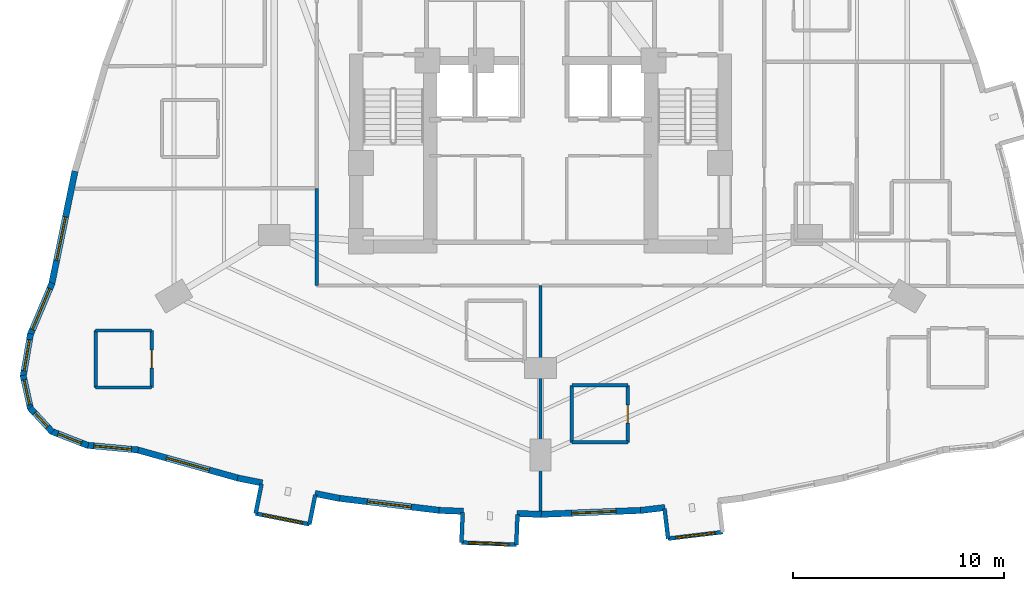
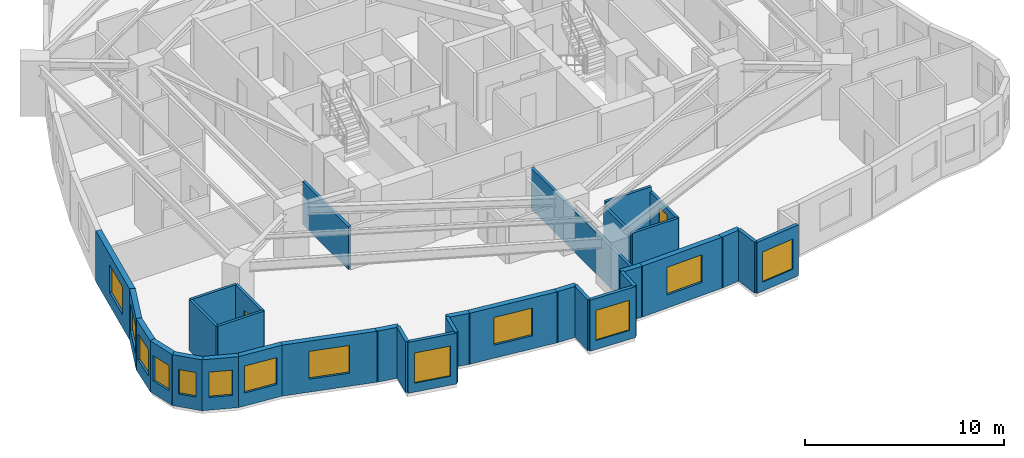
# One storey, part 6 of 13: 33 walls, 13 windows, 2 doors, 15 openings.
"""IFC4 building model written with IfcOpenShell, lengths in metres."""

import ifcopenshell
import ifcopenshell.guid

model = None  # the IFC model being written
_history = None  # IfcOwnerHistory: only IFC2X3 demands one
_inside = {}  # id of a spatial element -> (the spatial element, [elements in it])
_under = {}  # id of a project, library or spatial element -> (it, [spatial elements below it])
_declared = {}  # id of a project -> (the project, [libraries it declares])
_typed = {}  # id of a type object -> (the type object, [elements of that type])
_made_of = {}  # id of a material, layer set ... -> (it, [elements and type objects made of it])


def new_model(schema):
    """Start an empty IFC model of exactly this schema.

    Asked for "IFC4X3", IfcOpenShell would pick the latest addendum, in which some entities
    have other attributes; the version numbers below select the first issue.
    IFC2X3 requires an IfcOwnerHistory on every rooted entity: one is made here for all.
    """
    global model, _history
    if schema == "IFC4X3":
        model = ifcopenshell.file(schema_version=(4, 3, 0, 0))
    else:
        model = ifcopenshell.file(schema=schema)
    _inside.clear()
    _under.clear()
    _declared.clear()
    _typed.clear()
    _made_of.clear()
    _history = None
    if model.schema == "IFC2X3":
        org = make("IfcOrganization", Name="unknown")
        user = make(
            "IfcPersonAndOrganization",
            ThePerson=make("IfcPerson", FamilyName="unknown"),
            TheOrganization=org,
        )
        app = make(
            "IfcApplication",
            ApplicationDeveloper=org,
            Version="unknown",
            ApplicationFullName="unknown",
            ApplicationIdentifier="unknown",
        )
        _history = make(
            "IfcOwnerHistory",
            OwningUser=user,
            OwningApplication=app,
            ChangeAction="ADDED",
            CreationDate=0,
        )
    return model


def make(cls, **values):
    """One entity of the class cls with the attributes given. An attribute that is None is left unset."""
    return model.create_entity(
        cls, **{name: value for name, value in values.items() if value is not None}
    )


def rooted(cls, **values):
    """An entity with a GlobalId (a new one), such as an element, a storey or a relation."""
    return make(cls, GlobalId=ifcopenshell.guid.new(), OwnerHistory=_history, **values)


def si_unit(unit_type, name, prefix=None):
    """IfcSIUnit, for example si_unit("LENGTHUNIT", "METRE", prefix="MILLI")."""
    return make("IfcSIUnit", UnitType=unit_type, Prefix=prefix, Name=name)


def assignment(units):
    """IfcUnitAssignment: the units of a project."""
    return None if units is None else make("IfcUnitAssignment", Units=units)


def point(xyz):
    """IfcCartesianPoint."""
    return None if xyz is None else make("IfcCartesianPoint", Coordinates=xyz)


def direction(xyz):
    """IfcDirection."""
    return None if xyz is None else make("IfcDirection", DirectionRatios=xyz)


def frame(location, z_axis=None, x_axis=None):
    """IfcAxis2Placement3D, a coordinate frame: its origin and axes. An axis left out is left unset."""
    return make(
        "IfcAxis2Placement3D",
        Location=point(location),
        Axis=direction(z_axis),
        RefDirection=direction(x_axis),
    )


def frame_2d(location, x_axis=None):
    """IfcAxis2Placement2D, a coordinate frame in the plane: its origin and x axis."""
    return make(
        "IfcAxis2Placement2D", Location=point(location), RefDirection=direction(x_axis)
    )


def origin():
    """The frame at (0, 0, 0) with its axes left unset."""
    return frame((0.0, 0.0, 0.0))


def place(relative_to, where):
    """IfcLocalPlacement: puts the frame where relative to a parent placement (None: the world)."""
    return make(
        "IfcLocalPlacement", PlacementRelTo=relative_to, RelativePlacement=where
    )


def context(
    kind, dimensions, precision=None, world=None, true_north=None, identifier=None
):
    """IfcGeometricRepresentationContext, for example the 3D "Model" context."""
    return make(
        "IfcGeometricRepresentationContext",
        ContextIdentifier=identifier,
        ContextType=kind,
        CoordinateSpaceDimension=dimensions,
        Precision=precision,
        WorldCoordinateSystem=world,
        TrueNorth=true_north,
    )


def subcontext(parent, identifier, kind, view, scale=None):
    """IfcGeometricRepresentationSubContext, for example "Body" below "Model"."""
    return make(
        "IfcGeometricRepresentationSubContext",
        ContextIdentifier=identifier,
        ContextType=kind,
        ParentContext=parent,
        TargetScale=scale,
        TargetView=view,
    )


def project(units=None, contexts=None):
    """IfcProject with its units and contexts."""
    return rooted(
        "IfcProject",
        Name="project",
        RepresentationContexts=contexts,
        UnitsInContext=assignment(units),
    )


def spatial(cls, under=None, at=None, **own):
    """A site, building, storey or space (cls), placed at a placement, below another one or the project."""
    s = rooted(cls, ObjectPlacement=at, **own)
    if under is not None:
        _under.setdefault(under.id(), (under, []))[1].append(s)
    return s


def profile(cls, at=None, kind="AREA", **sizes):
    """A parametric profile (cls). Its sizes go by their IFC names, for example OverallWidth=200.0."""
    return make(cls, ProfileType=kind, Position=at, **sizes)


def rectangle(**sizes):
    """IfcRectangleProfileDef."""
    return profile("IfcRectangleProfileDef", **sizes)


def extrude(swept, where, along, depth):
    """IfcExtrudedAreaSolid: the profile swept, set in the frame where, extruded along a direction by depth."""
    return make(
        "IfcExtrudedAreaSolid",
        SweptArea=swept,
        Position=where,
        ExtrudedDirection=direction(along),
        Depth=depth,
    )


def shape(context_of_items, identifier, shape_type, items):
    """IfcShapeRepresentation: the items that make up one representation, for example the "Body"."""
    return make(
        "IfcShapeRepresentation",
        ContextOfItems=context_of_items,
        RepresentationIdentifier=identifier,
        RepresentationType=shape_type,
        Items=items,
    )


def material(Name=None, Category=None):
    """IfcMaterial."""
    return make("IfcMaterial", Name=Name, Category=Category)


def layer(
    of_material, thickness, ventilated=None, Name=None, Category=None, Priority=None
):
    """IfcMaterialLayer: one layer of a wall or slab, of a material (None: an air gap)."""
    return make(
        "IfcMaterialLayer",
        Material=of_material,
        LayerThickness=thickness,
        IsVentilated=ventilated,
        Name=Name,
        Category=Category,
        Priority=Priority,
    )


def layer_set(layers, Name=None):
    """IfcMaterialLayerSet."""
    return make("IfcMaterialLayerSet", MaterialLayers=layers, LayerSetName=Name)


def made_of(thing, what):
    """Note that an element or type object is made of a material, layer set ...; save() writes the relation."""
    if what is not None:
        _made_of.setdefault(what.id(), (what, []))[1].append(thing)
    return thing


def type_object(cls, material=None, **own):
    """A type object (cls), such as IfcWallType, which elements share."""
    return made_of(rooted(cls, **own), material)


def element(
    cls,
    number,
    at=None,
    inside=None,
    cuts=None,
    type_object=None,
    material=None,
    context=None,
    identifier="Body",
    shape_type=None,
    held_by="IfcProductDefinitionShape",
    body=None,
    shapes=None,
    **own,
):
    """One element of the class cls, such as IfcWall. Its Tag is "e" and its number.

    at: its placement. inside: the storey or other place that contains it. cuts: it is an
    opening in that element (IfcRelVoidsElement). A single representation is given by context,
    identifier, shape_type and body (its items); several are given by shapes. held_by: the class
    of the entity that holds the representations. save() writes the other relations.
    """
    e = rooted(cls, Tag="e%d" % number, ObjectPlacement=at, **own)
    if body is not None:
        shapes = [shape(context, identifier, shape_type, body)]
    if shapes is not None:
        e.Representation = make(held_by, Representations=shapes)
    if inside is not None:
        _inside.setdefault(inside.id(), (inside, []))[1].append(e)
    if cuts is not None:
        rooted(
            "IfcRelVoidsElement", RelatingBuildingElement=cuts, RelatedOpeningElement=e
        )
    if type_object is not None:
        _typed.setdefault(type_object.id(), (type_object, []))[1].append(e)
    return made_of(e, material)


def fill(opening, filler):
    """IfcRelFillsElement: the door or window that sits in an opening."""
    return rooted(
        "IfcRelFillsElement",
        RelatingOpeningElement=opening,
        RelatedBuildingElement=filler,
    )


def aggregate(whole, parts):
    """IfcRelAggregates: a whole, such as a stair, and the parts it consists of."""
    return rooted("IfcRelAggregates", RelatingObject=whole, RelatedObjects=parts)


def save(model, path):
    """Write the relations noted so far, then the file.

    IfcRelAggregates (storeys below a building ...), IfcRelContainedInSpatialStructure (elements
    in a storey), IfcRelDefinesByType, IfcRelAssociatesMaterial and IfcRelDeclares: one each for
    every whole, place, type object, material and project.
    """
    for whole, parts in _under.values():
        aggregate(whole, parts)
    for where, things in _inside.values():
        rooted(
            "IfcRelContainedInSpatialStructure",
            RelatedElements=things,
            RelatingStructure=where,
        )
    for kind, things in _typed.values():
        rooted("IfcRelDefinesByType", RelatedObjects=things, RelatingType=kind)
    for what, things in _made_of.values():
        rooted("IfcRelAssociatesMaterial", RelatedObjects=things, RelatingMaterial=what)
    for by, libraries in _declared.values():
        rooted("IfcRelDeclares", RelatingContext=by, RelatedDefinitions=libraries)
    model.write(path)


model = new_model("IFC4")

# Units and contexts
model_context = context("Model", 3, precision=1e-05, world=origin(), true_north=direction((0.0, 1.0)))
body_context = subcontext(model_context, "Body", "Model", "MODEL_VIEW")
ifc_project = project(units=[si_unit("LENGTHUNIT", "METRE"), si_unit("AREAUNIT", "SQUARE_METRE"), si_unit("VOLUMEUNIT", "CUBIC_METRE"), si_unit("PLANEANGLEUNIT", "RADIAN"), si_unit("MASSUNIT", "GRAM", prefix="KILO")], contexts=[model_context])

# Site, building, storey
site_placement = place(None, origin())
site = spatial("IfcSite", under=ifc_project, at=site_placement, CompositionType="ELEMENT")
building_placement = place(site_placement, origin())
building = spatial("IfcBuilding", under=site, at=building_placement, Name="Miruveldt Soraemaru", CompositionType="ELEMENT")
storey_placement = place(building_placement, frame((0.0, 0.0, 59.800048828125)))
storey = spatial("IfcBuildingStorey", under=building, at=storey_placement, Name="L16", CompositionType="ELEMENT", Elevation=59.800048828125)

# Walls
ifc_material_1 = material(Name="White powder-coated aluminium EN AW-6060 T6", Category="aluminium")
ifc_layer_1 = layer(ifc_material_1, 0.18994140625, Name="White powder-coated aluminium EN AW-6060 T6", Category="aluminium")
ifc_layer_set_1 = layer_set([ifc_layer_1], Name="White powder-coated aluminium EN AW-6060 T6")
wall_type_1 = type_object("IfcWallType", Name="WALL-BAY-ALU190", PredefinedType="SOLIDWALL", material=ifc_layer_set_1)
for number, where, z_axis, x_axis, name in (
    (1, (30.791748046875, 24.007080078125, 0.0), (0.0, 0.0, 1.0), (-0.196149079112, -0.980574086321, 0.0), "L16 Bay Window Side Cheek 1L"),
    (2, (33.061767578125, 22.099609375, 0.0), (0.0, 0.0, 1.0), (0.196149079112, 0.980574086321, 0.0), "L16 Bay Window Side Cheek 1R"),
):
    element("IfcWall", number, at=place(storey_placement, frame(where, z_axis=z_axis, x_axis=x_axis)), inside=storey, type_object=wall_type_1, Name=name, PredefinedType="SOLIDWALL", context=body_context, shape_type="SweptSolid", body=[
        extrude(rectangle(XDim=1.425048828125, YDim=0.18994140625, at=frame_2d((0.71240234375, 0.0))), origin(), (0.0, 0.0, 1.0), 3.125),
    ])

# Wall, opening, window
wall_1_placement = place(storey_placement, frame((30.51220703125, 22.609619140625, 0.0), z_axis=(0.0, 0.0, 1.0), x_axis=(0.980573452128, -0.196152249497, 0.0)))
wall_1 = element("IfcWall", 3, at=wall_1_placement, inside=storey, type_object=wall_type_1, Name="L16 Bay Window Front Frame 1", PredefinedType="SOLIDWALL", context=body_context, shape_type="SweptSolid", body=[
    extrude(rectangle(XDim=2.60009765625, YDim=0.18994140625, at=frame_2d((1.300048828125, 0.0))), origin(), (0.0, 0.0, 1.0), 3.125),
])
opening_1_placement = place(wall_1_placement, frame((0.35009765625, 0.0, 0.550048828125)))
opening_1 = element("IfcOpeningElement", 4, at=opening_1_placement, cuts=wall_1, Name="Opening WN-6", PredefinedType="OPENING", context=body_context, shape_type="SweptSolid", body=[
    extrude(rectangle(XDim=1.89990234375, YDim=1.85009765625, at=frame_2d((0.949951171875, 0.925048828125))), frame((0.0, 0.10498046875, 0.0), z_axis=(0.0, -1.0, 0.0), x_axis=(1.0, 0.0, 0.0)), (0.0, 0.0, 1.0), 0.2099609375),
])
ifc_material_2 = material(Name="Triple low-e insulated glazing", Category="glass")
window_type_1 = type_object("IfcWindowType", Name="WIN-BAYW-1900x1850", PartitioningType="SINGLE_PANEL", PredefinedType="WINDOW", material=ifc_material_2)
window_1_placement = place(opening_1_placement, origin())
window_1 = element("IfcWindow", 5, at=window_1_placement, inside=storey, type_object=window_type_1, Name="L16 Projecting Bay Window 1", OverallHeight=1.85009765625, OverallWidth=1.89990234375, PartitioningType="SINGLE_PANEL", PredefinedType="WINDOW", context=body_context, shape_type="SweptSolid", body=[
    extrude(rectangle(XDim=1.89990234375, YDim=1.85009765625, at=frame_2d((0.949951171875, 0.925048828125))), frame((0.0, 0.030029296875, 0.0), z_axis=(0.0, -1.0, 0.0), x_axis=(1.0, 0.0, 0.0)), (0.0, 0.0, 1.0), 0.06005859375),
])
fill(opening_1, window_1)

# Walls
for number, where, z_axis, x_axis, name in (
    (6, (40.314208984375, 22.658447265625, 0.0), (0.0, 0.0, 1.0), (-0.039920142234, -0.999202873417, 0.0), "L16 Bay Window Side Cheek 2L"),
    (7, (42.855224609375, 21.130615234375, 0.0), (0.0, 0.0, 1.0), (0.039920142234, 0.999202873417, 0.0), "L16 Bay Window Side Cheek 2R"),
):
    element("IfcWall", number, at=place(storey_placement, frame(where, z_axis=z_axis, x_axis=x_axis)), inside=storey, type_object=wall_type_1, Name=name, PredefinedType="SOLIDWALL", context=body_context, shape_type="SweptSolid", body=[
        extrude(rectangle(XDim=1.425048828125, YDim=0.18994140625, at=frame_2d((0.71240234375, 0.0))), origin(), (0.0, 0.0, 1.0), 3.125),
    ])

# Wall, opening, window
wall_2_placement = place(storey_placement, frame((40.25732421875, 21.234619140625, 0.0), z_axis=(0.0, 0.0, 1.0), x_axis=(0.999199608139, -0.040001788654, 0.0)))
wall_2 = element("IfcWall", 8, at=wall_2_placement, inside=storey, type_object=wall_type_1, Name="L16 Bay Window Front Frame 2", PredefinedType="SOLIDWALL", context=body_context, shape_type="SweptSolid", body=[
    extrude(rectangle(XDim=2.60009765625, YDim=0.18994140625, at=frame_2d((1.300048828125, 0.0))), origin(), (0.0, 0.0, 1.0), 3.125),
])
opening_2_placement = place(wall_2_placement, frame((0.35009765625, 0.0, 0.550048828125)))
opening_2 = element("IfcOpeningElement", 9, at=opening_2_placement, cuts=wall_2, Name="Opening WN-6", PredefinedType="OPENING", context=body_context, shape_type="SweptSolid", body=[
    extrude(rectangle(XDim=1.89990234375, YDim=1.85009765625, at=frame_2d((0.949951171875, 0.925048828125))), frame((0.0, 0.10498046875, 0.0), z_axis=(0.0, -1.0, 0.0), x_axis=(1.0, 0.0, 0.0)), (0.0, 0.0, 1.0), 0.2099609375),
])
window_2_placement = place(opening_2_placement, origin())
window_2 = element("IfcWindow", 10, at=window_2_placement, inside=storey, type_object=window_type_1, Name="L16 Projecting Bay Window 2", OverallHeight=1.85009765625, OverallWidth=1.89990234375, PartitioningType="SINGLE_PANEL", PredefinedType="WINDOW", context=body_context, shape_type="SweptSolid", body=[
    extrude(rectangle(XDim=1.89990234375, YDim=1.85009765625, at=frame_2d((0.949951171875, 0.925048828125))), frame((0.0, 0.030029296875, 0.0), z_axis=(0.0, -1.0, 0.0), x_axis=(1.0, 0.0, 0.0)), (0.0, 0.0, 1.0), 0.06005859375),
])
fill(opening_2, window_2)

# Wall
wall_3_placement = place(storey_placement, frame((49.869384765625, 22.83349609375, 0.0), z_axis=(0.0, 0.0, 1.0), x_axis=(0.119246559468, -0.992864672579, 0.0)))
element("IfcWall", 11, at=wall_3_placement, inside=storey, type_object=wall_type_1, Name="L16 Bay Window Side Cheek 3L", PredefinedType="SOLIDWALL", context=body_context, shape_type="SweptSolid", body=[
    extrude(rectangle(XDim=1.425048828125, YDim=0.18994140625, at=frame_2d((0.71240234375, 0.0))), origin(), (0.0, 0.0, 1.0), 3.125),
])

# Wall, opening, window
wall_4_placement = place(storey_placement, frame((50.039306640625, 21.418701171875, 0.0), z_axis=(0.0, 0.0, 1.0), x_axis=(0.992885278793, 0.119074863663, 0.0)))
wall_4 = element("IfcWall", 12, at=wall_4_placement, inside=storey, type_object=wall_type_1, Name="L16 Bay Window Front Frame 3", PredefinedType="SOLIDWALL", context=body_context, shape_type="SweptSolid", body=[
    extrude(rectangle(XDim=2.599853515625, YDim=0.18994140625, at=frame_2d((1.2998046875, 0.0))), origin(), (0.0, 0.0, 1.0), 3.125),
])
opening_3_placement = place(wall_4_placement, frame((0.35009765625, 0.0, 0.550048828125)))
opening_3 = element("IfcOpeningElement", 13, at=opening_3_placement, cuts=wall_4, Name="Opening WN-6", PredefinedType="OPENING", context=body_context, shape_type="SweptSolid", body=[
    extrude(rectangle(XDim=1.89990234375, YDim=1.85009765625, at=frame_2d((0.949951171875, 0.925048828125))), frame((0.0, 0.10498046875, 0.0), z_axis=(0.0, -1.0, 0.0), x_axis=(1.0, 0.0, 0.0)), (0.0, 0.0, 1.0), 0.2099609375),
])
window_3_placement = place(opening_3_placement, origin())
window_3 = element("IfcWindow", 14, at=window_3_placement, inside=storey, type_object=window_type_1, Name="L16 Projecting Bay Window 3", OverallHeight=1.85009765625, OverallWidth=1.89990234375, PartitioningType="SINGLE_PANEL", PredefinedType="WINDOW", context=body_context, shape_type="SweptSolid", body=[
    extrude(rectangle(XDim=1.89990234375, YDim=1.85009765625, at=frame_2d((0.949951171875, 0.925048828125))), frame((0.0, 0.030029296875, 0.0), z_axis=(0.0, -1.0, 0.0), x_axis=(1.0, 0.0, 0.0)), (0.0, 0.0, 1.0), 0.06005859375),
])
fill(opening_3, window_3)

ifc_material_3 = material(Name="Precast concrete C45/55 (45 MPa)", Category="concrete")
ifc_layer_2 = layer(ifc_material_3, 0.300048828125, Name="Precast concrete C45/55 (45 MPa)", Category="concrete")
ifc_layer_set_2 = layer_set([ifc_layer_2], Name="Precast concrete C45/55 (45 MPa)")
wall_type_2 = type_object("IfcWallType", Name="WALL-EXT-PC300", PredefinedType="SOLIDWALL", material=ifc_layer_set_2)
wall_5_placement = place(storey_placement, frame((21.96337890625, 38.815673828125, 0.0), z_axis=(0.0, 0.0, 1.0), x_axis=(-0.201576162265, -0.979472843323, 0.0)))
wall_5 = element("IfcWall", 15, at=wall_5_placement, inside=storey, type_object=wall_type_2, Name="L16 Precast Concrete Facade Wall 14", PredefinedType="SOLIDWALL", context=body_context, shape_type="SweptSolid", body=[
    extrude(rectangle(XDim=5.474365234375, YDim=0.300048828125, at=frame_2d((2.7373046875, 0.0))), origin(), (0.0, 0.0, 1.0), 3.125),
])
opening_4_placement = place(wall_5_placement, frame((2.215087890625, 0.0, 0.800048828125)))
opening_4 = element("IfcOpeningElement", 16, at=opening_4_placement, cuts=wall_5, Name="Opening WN-1", PredefinedType="OPENING", context=body_context, shape_type="SweptSolid", body=[
    extrude(rectangle(XDim=2.10009765625, YDim=1.699951171875, at=frame_2d((1.050048828125, 0.85009765625))), frame((0.0, 0.16015625, 0.0), z_axis=(0.0, -1.0, 0.0), x_axis=(1.0, 0.0, 0.0)), (0.0, 0.0, 1.0), 0.320068359375),
])
window_type_2 = type_object("IfcWindowType", Name="WIN-PUNCH-2100x1700", PartitioningType="SINGLE_PANEL", PredefinedType="WINDOW", material=ifc_material_2)
window_4_placement = place(opening_4_placement, origin())
window_4 = element("IfcWindow", 17, at=window_4_placement, inside=storey, type_object=window_type_2, Name="L16 Punched Triple-Glazed Window 14.1", OverallHeight=1.699951171875, OverallWidth=2.10009765625, PartitioningType="SINGLE_PANEL", PredefinedType="WINDOW", context=body_context, shape_type="SweptSolid", body=[
    extrude(rectangle(XDim=2.10009765625, YDim=1.699951171875, at=frame_2d((1.050048828125, 0.85009765625))), frame((0.0, 0.030029296875, 0.0), z_axis=(0.0, -1.0, 0.0), x_axis=(1.0, 0.0, 0.0)), (0.0, 0.0, 1.0), 0.06005859375),
])
fill(opening_4, window_4)

wall_6_placement = place(storey_placement, frame((20.880615234375, 33.52001953125, 0.0), z_axis=(0.0, 0.0, 1.0), x_axis=(-0.388667876127, -0.921377925754, 0.0)))
wall_6 = element("IfcWall", 18, at=wall_6_placement, inside=storey, type_object=wall_type_2, Name="L16 Precast Concrete Facade Wall 15", PredefinedType="SOLIDWALL", context=body_context, shape_type="SweptSolid", body=[
    extrude(rectangle(XDim=2.6796875, YDim=0.300048828125, at=frame_2d((1.33984375, 0.0))), origin(), (0.0, 0.0, 1.0), 3.125),
])
opening_5_placement = place(wall_6_placement, frame((0.2900390625, 0.0, 0.800048828125)))
opening_5 = element("IfcOpeningElement", 19, at=opening_5_placement, cuts=wall_6, Name="Opening WN-1", PredefinedType="OPENING", context=body_context, shape_type="SweptSolid", body=[
    extrude(rectangle(XDim=2.10009765625, YDim=1.699951171875, at=frame_2d((1.050048828125, 0.85009765625))), frame((0.0, 0.16015625, 0.0), z_axis=(0.0, -1.0, 0.0), x_axis=(1.0, 0.0, 0.0)), (0.0, 0.0, 1.0), 0.320068359375),
])
window_5_placement = place(opening_5_placement, origin())
window_5 = element("IfcWindow", 20, at=window_5_placement, inside=storey, type_object=window_type_2, Name="L16 Punched Triple-Glazed Window 15.1", OverallHeight=1.699951171875, OverallWidth=2.10009765625, PartitioningType="SINGLE_PANEL", PredefinedType="WINDOW", context=body_context, shape_type="SweptSolid", body=[
    extrude(rectangle(XDim=2.10009765625, YDim=1.699951171875, at=frame_2d((1.050048828125, 0.85009765625))), frame((0.0, 0.030029296875, 0.0), z_axis=(0.0, -1.0, 0.0), x_axis=(1.0, 0.0, 0.0)), (0.0, 0.0, 1.0), 0.06005859375),
])
fill(opening_5, window_5)

wall_7_placement = place(storey_placement, frame((19.858642578125, 31.11767578125, 0.0), z_axis=(0.0, 0.0, 1.0), x_axis=(-0.169321278281, -0.985560908682, 0.0)))
wall_7 = element("IfcWall", 21, at=wall_7_placement, inside=storey, type_object=wall_type_2, Name="L16 Precast Concrete Facade Wall 16", PredefinedType="SOLIDWALL", context=body_context, shape_type="SweptSolid", body=[
    extrude(rectangle(XDim=2.066162109375, YDim=0.300048828125, at=frame_2d((1.033203125, 0.0))), origin(), (0.0, 0.0, 1.0), 3.125),
])
opening_6_placement = place(wall_7_placement, frame((0.282958984375, 0.0, 0.800048828125)))
opening_6 = element("IfcOpeningElement", 22, at=opening_6_placement, cuts=wall_7, Name="Opening WN-3", PredefinedType="OPENING", context=body_context, shape_type="SweptSolid", body=[
    extrude(rectangle(XDim=1.5, YDim=1.60009765625, at=frame_2d((0.75, 0.800048828125))), frame((0.0, 0.16015625, 0.0), z_axis=(0.0, -1.0, 0.0), x_axis=(1.0, 0.0, 0.0)), (0.0, 0.0, 1.0), 0.320068359375),
])
window_type_3 = type_object("IfcWindowType", Name="WIN-PUNCH-1500x1600", PartitioningType="SINGLE_PANEL", PredefinedType="WINDOW", material=ifc_material_2)
window_6_placement = place(opening_6_placement, origin())
window_6 = element("IfcWindow", 23, at=window_6_placement, inside=storey, type_object=window_type_3, Name="L16 Punched Triple-Glazed Window 16.1", OverallHeight=1.60009765625, OverallWidth=1.5, PartitioningType="SINGLE_PANEL", PredefinedType="WINDOW", context=body_context, shape_type="SweptSolid", body=[
    extrude(rectangle(XDim=1.5, YDim=1.60009765625, at=frame_2d((0.75, 0.800048828125))), frame((0.0, 0.030029296875, 0.0), z_axis=(0.0, -1.0, 0.0), x_axis=(1.0, 0.0, 0.0)), (0.0, 0.0, 1.0), 0.06005859375),
])
fill(opening_6, window_6)

wall_8_placement = place(storey_placement, frame((19.507080078125, 29.14990234375, 0.0), z_axis=(0.0, 0.0, 1.0), x_axis=(0.215809114489, -0.976435571916, 0.0)))
wall_8 = element("IfcWall", 24, at=wall_8_placement, inside=storey, type_object=wall_type_2, Name="L16 Precast Concrete Facade Wall 17", PredefinedType="SOLIDWALL", context=body_context, shape_type="SweptSolid", body=[
    extrude(rectangle(XDim=1.636962890625, YDim=0.300048828125, at=frame_2d((0.818359375, 0.0))), origin(), (0.0, 0.0, 1.0), 3.125),
])
opening_7_placement = place(wall_8_placement, frame((0.218994140625, 0.0, 0.780029296875)))
opening_7 = element("IfcOpeningElement", 25, at=opening_7_placement, cuts=wall_8, Name="Opening WN-4", PredefinedType="OPENING", context=body_context, shape_type="SweptSolid", body=[
    extrude(rectangle(XDim=1.199951171875, YDim=1.550048828125, at=frame_2d((0.60009765625, 0.77490234375))), frame((0.0, 0.16015625, 0.0), z_axis=(0.0, -1.0, 0.0), x_axis=(1.0, 0.0, 0.0)), (0.0, 0.0, 1.0), 0.320068359375),
])
window_type_4 = type_object("IfcWindowType", Name="WIN-PUNCH-1200x1550", PartitioningType="SINGLE_PANEL", PredefinedType="WINDOW", material=ifc_material_2)
window_7_placement = place(opening_7_placement, origin())
window_7 = element("IfcWindow", 26, at=window_7_placement, inside=storey, type_object=window_type_4, Name="L16 Punched Triple-Glazed Window 17.1", OverallHeight=1.550048828125, OverallWidth=1.199951171875, PartitioningType="SINGLE_PANEL", PredefinedType="WINDOW", context=body_context, shape_type="SweptSolid", body=[
    extrude(rectangle(XDim=1.199951171875, YDim=1.550048828125, at=frame_2d((0.60009765625, 0.77490234375))), frame((0.0, 0.030029296875, 0.0), z_axis=(0.0, -1.0, 0.0), x_axis=(1.0, 0.0, 0.0)), (0.0, 0.0, 1.0), 0.06005859375),
])
fill(opening_7, window_7)

wall_9_placement = place(storey_placement, frame((19.8291015625, 27.611328125, 0.0), z_axis=(0.0, 0.0, 1.0), x_axis=(0.68010312741, -0.733116454656, 0.0)))
wall_9 = element("IfcWall", 27, at=wall_9_placement, inside=storey, type_object=wall_type_2, Name="L16 Precast Concrete Facade Wall 18", PredefinedType="SOLIDWALL", context=body_context, shape_type="SweptSolid", body=[
    extrude(rectangle(XDim=1.561279296875, YDim=0.300048828125, at=frame_2d((0.78076171875, 0.0))), origin(), (0.0, 0.0, 1.0), 3.125),
])
opening_8_placement = place(wall_9_placement, frame((0.330078125, 0.0, 0.780029296875)))
opening_8 = element("IfcOpeningElement", 28, at=opening_8_placement, cuts=wall_9, Name="Opening WN-7", PredefinedType="OPENING", context=body_context, shape_type="SweptSolid", body=[
    extrude(rectangle(XDim=0.89990234375, YDim=1.5, at=frame_2d((0.449951171875, 0.75))), frame((0.0, 0.16015625, 0.0), z_axis=(0.0, -1.0, 0.0), x_axis=(1.0, 0.0, 0.0)), (0.0, 0.0, 1.0), 0.320068359375),
])
window_type_5 = type_object("IfcWindowType", Name="WIN-PUNCH-900x1500", PartitioningType="SINGLE_PANEL", PredefinedType="WINDOW", material=ifc_material_2)
window_8_placement = place(opening_8_placement, origin())
window_8 = element("IfcWindow", 29, at=window_8_placement, inside=storey, type_object=window_type_5, Name="L16 Punched Triple-Glazed Window 18.1", OverallHeight=1.5, OverallWidth=0.89990234375, PartitioningType="SINGLE_PANEL", PredefinedType="WINDOW", context=body_context, shape_type="SweptSolid", body=[
    extrude(rectangle(XDim=0.89990234375, YDim=1.5, at=frame_2d((0.449951171875, 0.75))), frame((0.0, 0.030029296875, 0.0), z_axis=(0.0, -1.0, 0.0), x_axis=(1.0, 0.0, 0.0)), (0.0, 0.0, 1.0), 0.06005859375),
])
fill(opening_8, window_8)

wall_10_placement = place(storey_placement, frame((20.83447265625, 26.50537109375, 0.0), z_axis=(0.0, 0.0, 1.0), x_axis=(0.932272084915, -0.361757874397, 0.0)))
wall_10 = element("IfcWall", 30, at=wall_10_placement, inside=storey, type_object=wall_type_2, Name="L16 Precast Concrete Facade Wall 19", PredefinedType="SOLIDWALL", context=body_context, shape_type="SweptSolid", body=[
    extrude(rectangle(XDim=1.8828125, YDim=0.300048828125, at=frame_2d((0.94140625, 0.0))), origin(), (0.0, 0.0, 1.0), 3.125),
])
opening_9_placement = place(wall_10_placement, frame((0.342041015625, 0.0, 0.780029296875)))
opening_9 = element("IfcOpeningElement", 31, at=opening_9_placement, cuts=wall_10, Name="Opening WN-4", PredefinedType="OPENING", context=body_context, shape_type="SweptSolid", body=[
    extrude(rectangle(XDim=1.199951171875, YDim=1.550048828125, at=frame_2d((0.60009765625, 0.77490234375))), frame((0.0, 0.16015625, 0.0), z_axis=(0.0, -1.0, 0.0), x_axis=(1.0, 0.0, 0.0)), (0.0, 0.0, 1.0), 0.320068359375),
])
window_9_placement = place(opening_9_placement, origin())
window_9 = element("IfcWindow", 32, at=window_9_placement, inside=storey, type_object=window_type_4, Name="L16 Punched Triple-Glazed Window 19.1", OverallHeight=1.550048828125, OverallWidth=1.199951171875, PartitioningType="SINGLE_PANEL", PredefinedType="WINDOW", context=body_context, shape_type="SweptSolid", body=[
    extrude(rectangle(XDim=1.199951171875, YDim=1.550048828125, at=frame_2d((0.60009765625, 0.77490234375))), frame((0.0, 0.030029296875, 0.0), z_axis=(0.0, -1.0, 0.0), x_axis=(1.0, 0.0, 0.0)), (0.0, 0.0, 1.0), 0.06005859375),
])
fill(opening_9, window_9)

wall_11_placement = place(storey_placement, frame((22.5224609375, 25.840087890625, 0.0), z_axis=(0.0, 0.0, 1.0), x_axis=(0.995757962067, -0.092011308982, 0.0)))
wall_11 = element("IfcWall", 33, at=wall_11_placement, inside=storey, type_object=wall_type_2, Name="L16 Precast Concrete Facade Wall 20", PredefinedType="SOLIDWALL", context=body_context, shape_type="SweptSolid", body=[
    extrude(rectangle(XDim=2.446533203125, YDim=0.300048828125, at=frame_2d((1.22314453125, 0.0))), origin(), (0.0, 0.0, 1.0), 3.125),
])
opening_10_placement = place(wall_11_placement, frame((0.323974609375, 0.0, 0.800048828125)))
opening_10 = element("IfcOpeningElement", 34, at=opening_10_placement, cuts=wall_11, Name="Opening WN-2", PredefinedType="OPENING", context=body_context, shape_type="SweptSolid", body=[
    extrude(rectangle(XDim=1.800048828125, YDim=1.64990234375, at=frame_2d((0.89990234375, 0.824951171875))), frame((0.0, 0.16015625, 0.0), z_axis=(0.0, -1.0, 0.0), x_axis=(1.0, 0.0, 0.0)), (0.0, 0.0, 1.0), 0.320068359375),
])
window_type_6 = type_object("IfcWindowType", Name="WIN-PUNCH-1800x1650", PartitioningType="SINGLE_PANEL", PredefinedType="WINDOW", material=ifc_material_2)
window_10_placement = place(opening_10_placement, origin())
window_10 = element("IfcWindow", 35, at=window_10_placement, inside=storey, type_object=window_type_6, Name="L16 Punched Triple-Glazed Window 20.1", OverallHeight=1.64990234375, OverallWidth=1.800048828125, PartitioningType="SINGLE_PANEL", PredefinedType="WINDOW", context=body_context, shape_type="SweptSolid", body=[
    extrude(rectangle(XDim=1.800048828125, YDim=1.64990234375, at=frame_2d((0.89990234375, 0.824951171875))), frame((0.0, 0.030029296875, 0.0), z_axis=(0.0, -1.0, 0.0), x_axis=(1.0, 0.0, 0.0)), (0.0, 0.0, 1.0), 0.06005859375),
])
fill(opening_10, window_10)

wall_12_placement = place(storey_placement, frame((24.889892578125, 25.627685546875, 0.0), z_axis=(0.0, 0.0, 1.0), x_axis=(0.962965029361, -0.269626319614, 0.0)))
wall_12 = element("IfcWall", 36, at=wall_12_placement, inside=storey, type_object=wall_type_2, Name="L16 Precast Concrete Facade Wall 21", PredefinedType="SOLIDWALL", context=body_context, shape_type="SweptSolid", body=[
    extrude(rectangle(XDim=5.022705078125, YDim=0.300048828125, at=frame_2d((2.51123046875, 0.0))), origin(), (0.0, 0.0, 1.0), 3.125),
])
opening_11_placement = place(wall_12_placement, frame((1.4609375, 0.0, 0.800048828125)))
opening_11 = element("IfcOpeningElement", 37, at=opening_11_placement, cuts=wall_12, Name="Opening WN-1", PredefinedType="OPENING", context=body_context, shape_type="SweptSolid", body=[
    extrude(rectangle(XDim=2.10009765625, YDim=1.699951171875, at=frame_2d((1.050048828125, 0.85009765625))), frame((0.0, 0.16015625, 0.0), z_axis=(0.0, -1.0, 0.0), x_axis=(1.0, 0.0, 0.0)), (0.0, 0.0, 1.0), 0.320068359375),
])
window_11_placement = place(opening_11_placement, origin())
window_11 = element("IfcWindow", 38, at=window_11_placement, inside=storey, type_object=window_type_2, Name="L16 Punched Triple-Glazed Window 21.1", OverallHeight=1.699951171875, OverallWidth=2.10009765625, PartitioningType="SINGLE_PANEL", PredefinedType="WINDOW", context=body_context, shape_type="SweptSolid", body=[
    extrude(rectangle(XDim=2.10009765625, YDim=1.699951171875, at=frame_2d((1.050048828125, 0.85009765625))), frame((0.0, 0.030029296875, 0.0), z_axis=(0.0, -1.0, 0.0), x_axis=(1.0, 0.0, 0.0)), (0.0, 0.0, 1.0), 0.06005859375),
])
fill(opening_11, window_11)

# Walls
for number, where, z_axis, x_axis, name in (
    (39, (29.658447265625, 24.289794921875, 0.0), (0.0, 0.0, 1.0), (0.980588522376, -0.196076897629, 0.0), "L16 Precast Pier Wall 22A"),
    (40, (33.32275390625, 23.556884765625, 0.0), (0.0, 0.0, 1.0), (0.980588522376, -0.196076897629, 0.0), "L16 Precast Pier Wall 22B"),
):
    element("IfcWall", number, at=place(storey_placement, frame(where, z_axis=z_axis, x_axis=x_axis)), inside=storey, type_object=wall_type_2, Name=name, PredefinedType="SOLIDWALL", context=body_context, shape_type="SweptSolid", body=[
        extrude(rectangle(XDim=1.196533203125, YDim=0.300048828125, at=frame_2d((0.59814453125, 0.0))), origin(), (0.0, 0.0, 1.0), 3.125),
    ])

# Wall, opening, window
wall_13_placement = place(storey_placement, frame((34.427001953125, 23.333251953125, 0.0), z_axis=(0.0, 0.0, 1.0), x_axis=(0.992878497765, -0.119131392486, 0.0)))
wall_13 = element("IfcWall", 41, at=wall_13_placement, inside=storey, type_object=wall_type_2, Name="L16 Precast Concrete Facade Wall 23", PredefinedType="SOLIDWALL", context=body_context, shape_type="SweptSolid", body=[
    extrude(rectangle(XDim=4.873291015625, YDim=0.300048828125, at=frame_2d((2.4365234375, 0.0))), origin(), (0.0, 0.0, 1.0), 3.125),
])
opening_12_placement = place(wall_13_placement, frame((1.385986328125, 0.0, 0.800048828125)))
opening_12 = element("IfcOpeningElement", 42, at=opening_12_placement, cuts=wall_13, Name="Opening WN-1", PredefinedType="OPENING", context=body_context, shape_type="SweptSolid", body=[
    extrude(rectangle(XDim=2.10009765625, YDim=1.699951171875, at=frame_2d((1.050048828125, 0.85009765625))), frame((0.0, 0.16015625, 0.0), z_axis=(0.0, -1.0, 0.0), x_axis=(1.0, 0.0, 0.0)), (0.0, 0.0, 1.0), 0.320068359375),
])
window_12_placement = place(opening_12_placement, origin())
window_12 = element("IfcWindow", 43, at=window_12_placement, inside=storey, type_object=window_type_2, Name="L16 Punched Triple-Glazed Window 23.1", OverallHeight=1.699951171875, OverallWidth=2.10009765625, PartitioningType="SINGLE_PANEL", PredefinedType="WINDOW", context=body_context, shape_type="SweptSolid", body=[
    extrude(rectangle(XDim=2.10009765625, YDim=1.699951171875, at=frame_2d((1.050048828125, 0.85009765625))), frame((0.0, 0.030029296875, 0.0), z_axis=(0.0, -1.0, 0.0), x_axis=(1.0, 0.0, 0.0)), (0.0, 0.0, 1.0), 0.06005859375),
])
fill(opening_12, window_12)

# Walls
wall_14_placement = place(storey_placement, frame((39.19580078125, 22.75830078125, 0.0), z_axis=(0.0, 0.0, 1.0), x_axis=(0.999196889492, -0.040069639744, 0.0)))
element("IfcWall", 44, at=wall_14_placement, inside=storey, type_object=wall_type_2, Name="L16 Precast Pier Wall 24A", PredefinedType="SOLIDWALL", context=body_context, shape_type="SweptSolid", body=[
    extrude(rectangle(XDim=1.151611328125, YDim=0.300048828125, at=frame_2d((0.57568359375, 0.0))), origin(), (0.0, 0.0, 1.0), 3.125),
])
wall_15_placement = place(storey_placement, frame((42.884521484375, 22.610595703125, 0.0), z_axis=(0.0, 0.0, 1.0), x_axis=(0.999205018514, -0.039866414151, 0.0)))
element("IfcWall", 45, at=wall_15_placement, inside=storey, type_object=wall_type_2, Name="L16 Precast Pier Wall 24B", PredefinedType="SOLIDWALL", context=body_context, shape_type="SweptSolid", body=[
    extrude(rectangle(XDim=1.1513671875, YDim=0.300048828125, at=frame_2d((0.57568359375, 0.0))), origin(), (0.0, 0.0, 1.0), 3.125),
])

# Wall, opening, window
wall_16_placement = place(storey_placement, frame((43.965087890625, 22.564697265625, 0.0), z_axis=(0.0, 0.0, 1.0), x_axis=(0.999200636573, 0.039976091257, 0.0)))
wall_16 = element("IfcWall", 46, at=wall_16_placement, inside=storey, type_object=wall_type_2, Name="L16 Precast Concrete Facade Wall 25", PredefinedType="SOLIDWALL", context=body_context, shape_type="SweptSolid", body=[
    extrude(rectangle(XDim=4.843017578125, YDim=0.300048828125, at=frame_2d((2.42138671875, 0.0))), origin(), (0.0, 0.0, 1.0), 3.125),
])
opening_13_placement = place(wall_16_placement, frame((1.511962890625, 0.0, 0.800048828125)))
opening_13 = element("IfcOpeningElement", 47, at=opening_13_placement, cuts=wall_16, Name="Opening WN-1", PredefinedType="OPENING", context=body_context, shape_type="SweptSolid", body=[
    extrude(rectangle(XDim=2.10009765625, YDim=1.699951171875, at=frame_2d((1.050048828125, 0.85009765625))), frame((0.0, 0.16015625, 0.0), z_axis=(0.0, -1.0, 0.0), x_axis=(1.0, 0.0, 0.0)), (0.0, 0.0, 1.0), 0.320068359375),
])
window_13_placement = place(opening_13_placement, origin())
window_13 = element("IfcWindow", 48, at=window_13_placement, inside=storey, type_object=window_type_2, Name="L16 Punched Triple-Glazed Window 25.1", OverallHeight=1.699951171875, OverallWidth=2.10009765625, PartitioningType="SINGLE_PANEL", PredefinedType="WINDOW", context=body_context, shape_type="SweptSolid", body=[
    extrude(rectangle(XDim=2.10009765625, YDim=1.699951171875, at=frame_2d((1.050048828125, 0.85009765625))), frame((0.0, 0.030029296875, 0.0), z_axis=(0.0, -1.0, 0.0), x_axis=(1.0, 0.0, 0.0)), (0.0, 0.0, 1.0), 0.06005859375),
])
fill(opening_13, window_13)

# Wall
wall_17_placement = place(storey_placement, frame((48.734375, 22.752685546875, 0.0), z_axis=(0.0, 0.0, 1.0), x_axis=(0.992883769209, 0.119087450396, 0.0)))
element("IfcWall", 49, at=wall_17_placement, inside=storey, type_object=wall_type_2, Name="L16 Precast Pier Wall 26A", PredefinedType="SOLIDWALL", context=body_context, shape_type="SweptSolid", body=[
    extrude(rectangle(XDim=1.16650390625, YDim=0.300048828125, at=frame_2d((0.583251953125, 0.0))), origin(), (0.0, 0.0, 1.0), 3.125),
])

# Wall, opening, door
ifc_material_4 = material(Name="Gypsum plasterboard lining", Category="gypsum")
ifc_layer_3 = layer(ifc_material_4, 0.14990234375, Name="Gypsum plasterboard lining", Category="gypsum")
ifc_layer_set_3 = layer_set([ifc_layer_3], Name="Gypsum plasterboard lining")
wall_type_3 = type_object("IfcWallType", Name="WALL-INT-PLUMB", PredefinedType="PLUMBINGWALL", material=ifc_layer_set_3)
wall_18_placement = place(storey_placement, frame((25.594970703125, 28.577880859375, 0.0), z_axis=(0.0, 0.0, 1.0), x_axis=(0.0, 1.0, 0.0)))
wall_18 = element("IfcWall", 50, at=wall_18_placement, inside=storey, type_object=wall_type_3, Name="L16 Partition Wall 74", PredefinedType="PLUMBINGWALL", context=body_context, shape_type="SweptSolid", body=[
    extrude(rectangle(XDim=2.7001953125, YDim=0.14990234375, at=frame_2d((1.35009765625, 0.0))), origin(), (0.0, 0.0, 1.0), 3.125),
])
opening_14_placement = place(wall_18_placement, frame((0.909912109375, 0.0, 0.0)))
opening_14 = element("IfcOpeningElement", 51, at=opening_14_placement, cuts=wall_18, Name="Opening FD3", PredefinedType="OPENING", context=body_context, shape_type="SweptSolid", body=[
    extrude(rectangle(XDim=0.85009765625, YDim=2.10009765625, at=frame_2d((0.425048828125, 1.050048828125))), frame((0.0, 0.0849609375, 0.0), z_axis=(0.0, -1.0, 0.0), x_axis=(1.0, 0.0, 0.0)), (0.0, 0.0, 1.0), 0.169921875),
])
ifc_material_5 = material(Name="Anodised aluminium EN AW-6063 T6", Category="aluminium")
door_type = type_object("IfcDoorType", Name="DOOR-FD3-850", OperationType="NOTDEFINED", PredefinedType="DOOR", material=ifc_material_5)
door_1_placement = place(opening_14_placement, origin())
door_1 = element("IfcDoor", 52, at=door_1_placement, inside=storey, type_object=door_type, Name="L16 Unit CL08 BTH Door", OperationType="SINGLE_SWING_LEFT", OverallHeight=2.10009765625, OverallWidth=0.85009765625, PredefinedType="DOOR", context=body_context, shape_type="SweptSolid", body=[
    extrude(rectangle(XDim=0.85009765625, YDim=2.10009765625, at=frame_2d((0.425048828125, 1.050048828125))), frame((0.0, 0.02490234375, 0.0), z_axis=(0.0, -1.0, 0.0), x_axis=(1.0, 0.0, 0.0)), (0.0, 0.0, 1.0), 0.050048828125),
])
fill(opening_14, door_1)

wall_19_placement = place(storey_placement, frame((48.1298828125, 25.97802734375, 0.0), z_axis=(0.0, 0.0, 1.0), x_axis=(0.0, 1.0, 0.0)))
wall_19 = element("IfcWall", 53, at=wall_19_placement, inside=storey, type_object=wall_type_3, Name="L16 Partition Wall 80", PredefinedType="PLUMBINGWALL", context=body_context, shape_type="SweptSolid", body=[
    extrude(rectangle(XDim=2.699951171875, YDim=0.14990234375, at=frame_2d((1.35009765625, 0.0))), origin(), (0.0, 0.0, 1.0), 2.512939453125),
])
opening_15_placement = place(wall_19_placement, frame((0.909912109375, 0.0, 0.0)))
opening_15 = element("IfcOpeningElement", 54, at=opening_15_placement, cuts=wall_19, Name="Opening FD3", PredefinedType="OPENING", context=body_context, shape_type="SweptSolid", body=[
    extrude(rectangle(XDim=0.85009765625, YDim=2.10009765625, at=frame_2d((0.425048828125, 1.050048828125))), frame((0.0, 0.0849609375, 0.0), z_axis=(0.0, -1.0, 0.0), x_axis=(1.0, 0.0, 0.0)), (0.0, 0.0, 1.0), 0.169921875),
])
door_2_placement = place(opening_15_placement, origin())
door_2 = element("IfcDoor", 55, at=door_2_placement, inside=storey, type_object=door_type, Name="L16 Unit 1609 BTH Door", OperationType="SINGLE_SWING_RIGHT", OverallHeight=2.10009765625, OverallWidth=0.85009765625, PredefinedType="DOOR", context=body_context, shape_type="SweptSolid", body=[
    extrude(rectangle(XDim=0.85009765625, YDim=2.10009765625, at=frame_2d((0.425048828125, 1.050048828125))), frame((0.0, 0.02490234375, 0.0), z_axis=(0.0, -1.0, 0.0), x_axis=(1.0, 0.0, 0.0)), (0.0, 0.0, 1.0), 0.050048828125),
])
fill(opening_15, door_2)

# Walls
wall_20_placement = place(storey_placement, frame((45.47998046875, 28.677978515625, 0.0), z_axis=(0.0, 0.0, 1.0), x_axis=(0.0, -1.0, 0.0)))
element("IfcWall", 56, at=wall_20_placement, inside=storey, type_object=wall_type_3, Name="L16 Partition Wall 82", PredefinedType="PLUMBINGWALL", context=body_context, shape_type="SweptSolid", body=[
    extrude(rectangle(XDim=2.699951171875, YDim=0.14990234375, at=frame_2d((1.35009765625, 0.0))), origin(), (0.0, 0.0, 1.0), 2.512939453125),
])
wall_21_placement = place(storey_placement, frame((22.945068359375, 31.278076171875, 0.0), z_axis=(0.0, 0.0, 1.0), x_axis=(0.0, -1.0, 0.0)))
element("IfcWall", 57, at=wall_21_placement, inside=storey, type_object=wall_type_3, Name="L16 Partition Wall 100", PredefinedType="PLUMBINGWALL", context=body_context, shape_type="SweptSolid", body=[
    extrude(rectangle(XDim=2.7001953125, YDim=0.14990234375, at=frame_2d((1.35009765625, 0.0))), origin(), (0.0, 0.0, 1.0), 3.125),
])
wall_22_placement = place(storey_placement, frame((48.1298828125, 28.677978515625, 0.0), z_axis=(0.0, 0.0, 1.0), x_axis=(-1.0, 0.0, 0.0)))
element("IfcWall", 58, at=wall_22_placement, inside=storey, type_object=wall_type_3, Name="L16 Partition Wall 81", PredefinedType="PLUMBINGWALL", context=body_context, shape_type="SweptSolid", body=[
    extrude(rectangle(XDim=2.64990234375, YDim=0.14990234375, at=frame_2d((1.324951171875, 0.0))), origin(), (0.0, 0.0, 1.0), 2.81298828125),
])
wall_23_placement = place(storey_placement, frame((45.47998046875, 25.97802734375, 0.0), z_axis=(0.0, 0.0, 1.0), x_axis=(1.0, 0.0, 0.0)))
element("IfcWall", 59, at=wall_23_placement, inside=storey, type_object=wall_type_3, Name="L16 Partition Wall 83", PredefinedType="PLUMBINGWALL", context=body_context, shape_type="SweptSolid", body=[
    extrude(rectangle(XDim=2.64990234375, YDim=0.14990234375, at=frame_2d((1.324951171875, 0.0))), origin(), (0.0, 0.0, 1.0), 2.512939453125),
])
for number, where, z_axis, x_axis, name in (
    (60, (25.594970703125, 31.278076171875, 0.0), (0.0, 0.0, 1.0), (-1.0, 0.0, 0.0), "L16 Partition Wall 99"),
    (61, (22.945068359375, 28.577880859375, 0.0), (0.0, 0.0, 1.0), (1.0, 0.0, 0.0), "L16 Partition Wall 101"),
):
    element("IfcWall", number, at=place(storey_placement, frame(where, z_axis=z_axis, x_axis=x_axis)), inside=storey, type_object=wall_type_3, Name=name, PredefinedType="PLUMBINGWALL", context=body_context, shape_type="SweptSolid", body=[
        extrude(rectangle(XDim=2.64990234375, YDim=0.14990234375, at=frame_2d((1.324951171875, 0.0))), origin(), (0.0, 0.0, 1.0), 3.125),
    ])
ifc_material_6 = material(Name="Concrete C40/50 (40 MPa)", Category="concrete")
ifc_layer_4 = layer(ifc_material_6, 0.159912109375, Name="Concrete C40/50 (40 MPa)", Category="concrete")
ifc_layer_set_4 = layer_set([ifc_layer_4], Name="Concrete C40/50 (40 MPa)")
wall_type_4 = type_object("IfcWallType", Name="WALL-INT-RC160", PredefinedType="SOLIDWALL", material=ifc_layer_set_4)
wall_24_placement = place(storey_placement, frame((44.0, 22.73095703125, 0.0), z_axis=(0.0, 0.0, 1.0), x_axis=(0.0, 1.0, 0.0)))
element("IfcWall", 62, at=wall_24_placement, inside=storey, type_object=wall_type_4, Name="L16 Partition Wall 79", PredefinedType="SOLIDWALL", context=body_context, shape_type="SweptSolid", body=[
    extrude(rectangle(XDim=10.6689453125, YDim=0.159912109375, at=frame_2d((5.33447265625, 0.0))), origin(), (0.0, 0.0, 1.0), 2.512939453125),
])
wall_25_placement = place(storey_placement, frame((33.39990234375, 37.9970703125, 0.0), z_axis=(0.0, 0.0, 1.0), x_axis=(0.0, -1.0, 0.0)))
element("IfcWall", 63, at=wall_25_placement, inside=storey, type_object=wall_type_4, Name="L16 Partition Wall 9", PredefinedType="SOLIDWALL", context=body_context, shape_type="SweptSolid", body=[
    extrude(rectangle(XDim=4.59716796875, YDim=0.159912109375, at=frame_2d((2.298583984375, 0.0))), origin(), (0.0, 0.0, 1.0), 2.625),
])

save(model, "model.ifc")
